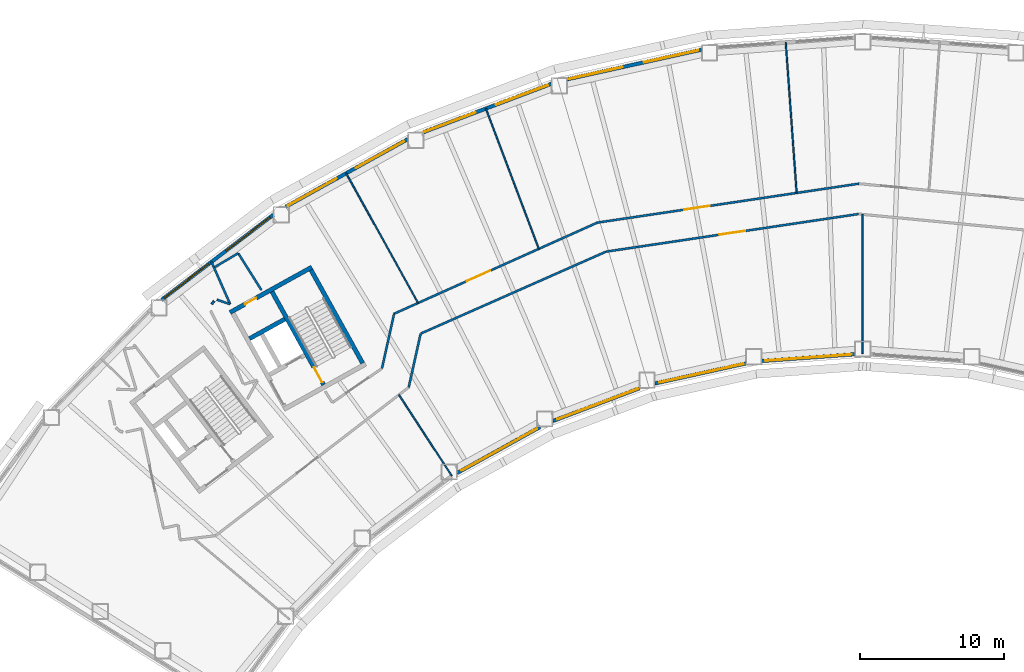
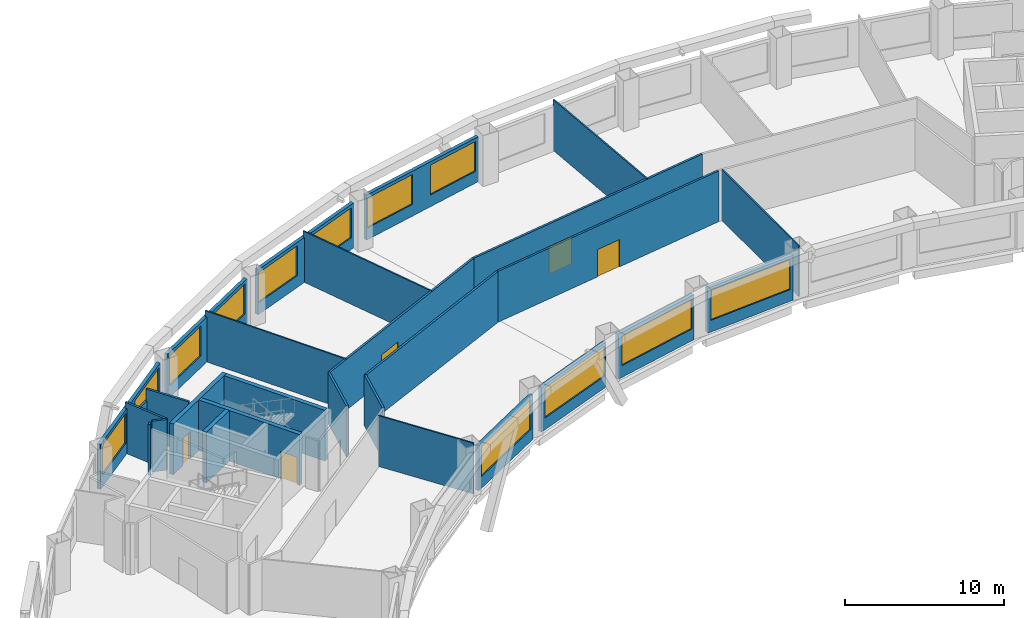
# One storey, part 4 of 13: 28 walls, 12 windows, 5 doors, 17 openings.
"""IFC4 building model written with IfcOpenShell, lengths in metres."""

from ifc_helpers import new_model, si_unit, direction, frame, frame_2d, origin, place, context, subcontext, project, spatial, rectangle, extrude, material, layer, layer_set, type_object, element, fill, save


model = new_model("IFC4")

# Units and contexts
model_context = context("Model", 3, precision=1e-05, world=origin(), true_north=direction((0.0, 1.0)))
body_context = subcontext(model_context, "Body", "Model", "MODEL_VIEW")
ifc_project = project(units=[si_unit("LENGTHUNIT", "METRE"), si_unit("AREAUNIT", "SQUARE_METRE"), si_unit("VOLUMEUNIT", "CUBIC_METRE"), si_unit("PLANEANGLEUNIT", "RADIAN"), si_unit("MASSUNIT", "GRAM", prefix="KILO")], contexts=[model_context])

# Site, building, storey
site_placement = place(None, origin())
site = spatial("IfcSite", under=ifc_project, at=site_placement, CompositionType="ELEMENT")
building_placement = place(site_placement, origin())
building = spatial("IfcBuilding", under=site, at=building_placement, Name="Tuul Gate Civic Tower", CompositionType="ELEMENT")
storey_placement = place(building_placement, frame((0.0, 0.0, 111.89990234375)))
storey = spatial("IfcBuildingStorey", under=building, at=storey_placement, Name="Level 25", CompositionType="ELEMENT", Elevation=111.89990234375)

# Wall
ifc_material_1 = material(Name="Concrete C50/60", Category="concrete")
ifc_layer_1 = layer(ifc_material_1, 0.300048828125)
ifc_layer_set_1 = layer_set([ifc_layer_1], Name="Concrete C50/60")
wall_type_1 = type_object("IfcWallType", Name="Core wall C50/60", PredefinedType="SHEAR", material=ifc_layer_set_1)
wall_1_placement = place(storey_placement, frame((-30.327392578125, -5.59716796875, 0.0), z_axis=(0.0, 0.0, 1.0), x_axis=(-0.874629840737, -0.484791338301, 0.0)))
element("IfcWall", 1, at=wall_1_placement, inside=storey, type_object=wall_type_1, Name="Core wall", PredefinedType="SHEAR", context=body_context, shape_type="SweptSolid", body=[
    extrude(rectangle(XDim=2.800048828125, YDim=0.300048828125, at=frame_2d((1.39990234375, 0.0))), origin(), (0.0, 0.0, 1.0), 3.900146484375),
])

# Wall, opening, door
wall_2_placement = place(storey_placement, frame((-28.4443359375, -1.98095703125, 0.0), z_axis=(0.0, 0.0, 1.0), x_axis=(-0.874629909008, -0.484791215132, 0.0)))
wall_2 = element("IfcWall", 2, at=wall_2_placement, inside=storey, type_object=wall_type_1, Name="Core wall", PredefinedType="SHEAR", context=body_context, shape_type="SweptSolid", body=[
    extrude(rectangle(XDim=6.5, YDim=0.300048828125, at=frame_2d((3.25, 0.0))), origin(), (0.0, 0.0, 1.0), 3.900146484375),
])
opening_1_placement = place(wall_2_placement, frame((4.425048828125, 0.0, 0.0)))
opening_1 = element("IfcOpeningElement", 3, at=opening_1_placement, cuts=wall_2, Name="Opening H-D18", PredefinedType="OPENING", context=body_context, shape_type="SweptSolid", body=[
    extrude(rectangle(XDim=0.89990234375, YDim=2.10009765625, at=frame_2d((0.449951171875, 1.050048828125))), frame((0.0, 0.16015625, 0.0), z_axis=(0.0, -1.0, 0.0), x_axis=(1.0, 0.0, 0.0)), (0.0, 0.0, 1.0), 0.320068359375),
])
ifc_material_2 = material(Name="Timber door leaf", Category="wood")
door_type_1 = type_object("IfcDoorType", Name="Door D09", OperationType="NOTDEFINED", PredefinedType="DOOR", material=ifc_material_2)
door_1_placement = place(opening_1_placement, origin())
door_1 = element("IfcDoor", 4, at=door_1_placement, inside=storey, type_object=door_type_1, Name="Door H-D18", OperationType="SINGLE_SWING_LEFT", OverallHeight=2.10009765625, OverallWidth=0.89990234375, PredefinedType="DOOR", context=body_context, shape_type="SweptSolid", body=[
    extrude(rectangle(XDim=0.89990234375, YDim=2.10009765625, at=frame_2d((0.449951171875, 1.050048828125))), frame((0.0, 0.02490234375, 0.0), z_axis=(0.0, -1.0, 0.0), x_axis=(1.0, 0.0, 0.0)), (0.0, 0.0, 1.0), 0.050048828125),
])
fill(opening_1, door_1)

# Wall
wall_3_placement = place(storey_placement, frame((-24.91552734375, -8.6572265625, 0.0), z_axis=(0.0, 0.0, 1.0), x_axis=(-0.484777133038, 0.874637714304, 0.0)))
element("IfcWall", 5, at=wall_3_placement, inside=storey, type_object=wall_type_1, Name="Core wall", PredefinedType="SHEAR", context=body_context, shape_type="SweptSolid", body=[
    extrude(rectangle(XDim=7.400146484375, YDim=0.300048828125, at=frame_2d((3.7001953125, 0.0))), origin(), (0.0, 0.0, 1.0), 3.900146484375),
])

# Wall, opening, door
wall_4_placement = place(storey_placement, frame((-27.626953125, -10.16015625, 0.0), z_axis=(0.0, 0.0, 1.0), x_axis=(-0.484751894226, 0.874651702704, 0.0)))
wall_4 = element("IfcWall", 6, at=wall_4_placement, inside=storey, type_object=wall_type_1, Name="Core wall", PredefinedType="SHEAR", context=body_context, shape_type="SweptSolid", body=[
    extrude(rectangle(XDim=7.39990234375, YDim=0.300048828125, at=frame_2d((3.699951171875, 0.0))), origin(), (0.0, 0.0, 1.0), 3.900146484375),
])
opening_2_placement = place(wall_4_placement, frame((0.199951171875, 0.0, 0.0)))
opening_2 = element("IfcOpeningElement", 7, at=opening_2_placement, cuts=wall_4, Name="Opening SD-ST-2", PredefinedType="OPENING", context=body_context, shape_type="SweptSolid", body=[
    extrude(rectangle(XDim=1.199951171875, YDim=2.10009765625, at=frame_2d((0.60009765625, 1.050048828125))), frame((0.0, 0.16015625, 0.0), z_axis=(0.0, -1.0, 0.0), x_axis=(1.0, 0.0, 0.0)), (0.0, 0.0, 1.0), 0.320068359375),
])
ifc_material_3 = material(Name="Steel", Category="steel")
door_type_2 = type_object("IfcDoorType", Name="Stair door", OperationType="NOTDEFINED", PredefinedType="DOOR", material=ifc_material_3)
door_2_placement = place(opening_2_placement, origin())
door_2 = element("IfcDoor", 8, at=door_2_placement, inside=storey, type_object=door_type_2, Name="Stair door ST-2", OperationType="SINGLE_SWING_LEFT", OverallHeight=2.10009765625, OverallWidth=1.199951171875, PredefinedType="DOOR", context=body_context, shape_type="SweptSolid", body=[
    extrude(rectangle(XDim=1.199951171875, YDim=2.10009765625, at=frame_2d((0.60009765625, 1.050048828125))), frame((0.0, 0.02490234375, 0.0), z_axis=(0.0, -1.0, 0.0), x_axis=(1.0, 0.0, 0.0)), (0.0, 0.0, 1.0), 0.050048828125),
])
fill(opening_2, door_2)

ifc_material_4 = material(Name="Gypsum board partition")
ifc_layer_2 = layer(ifc_material_4, 0.14990234375)
ifc_layer_set_2 = layer_set([ifc_layer_2], Name="Gypsum board partition")
wall_type_2 = type_object("IfcWallType", Name="Corridor wall P150", PredefinedType="PARTITIONING", material=ifc_layer_set_2)
wall_5_placement = place(storey_placement, frame((-8.611083984375, 1.110107421875, 0.0), z_axis=(0.0, 0.0, 1.0), x_axis=(0.989097137004, 0.147264569974, 0.0)))
wall_5 = element("IfcWall", 9, at=wall_5_placement, inside=storey, type_object=wall_type_2, Name="p023", PredefinedType="PARTITIONING", context=body_context, shape_type="SweptSolid", body=[
    extrude(rectangle(XDim=18.377197265625, YDim=0.14990234375, at=frame_2d((9.1884765625, 0.0))), origin(), (0.0, 0.0, 1.0), 3.900146484375),
])
opening_3_placement = place(wall_5_placement, frame((6.1005859375, 0.0, 0.0)))
opening_3 = element("IfcOpeningElement", 10, at=opening_3_placement, cuts=wall_5, Name="Opening H-D07", PredefinedType="OPENING", context=body_context, shape_type="SweptSolid", body=[
    extrude(rectangle(XDim=1.800048828125, YDim=2.10009765625, at=frame_2d((0.89990234375, 1.050048828125))), frame((0.0, 0.0849609375, 0.0), z_axis=(0.0, -1.0, 0.0), x_axis=(1.0, 0.0, 0.0)), (0.0, 0.0, 1.0), 0.169921875),
])
ifc_material_5 = material(Name="Timber door leaf, double", Category="wood")
door_type_3 = type_object("IfcDoorType", Name="Door D18", OperationType="DOUBLE_DOOR_SINGLE_SWING", PredefinedType="DOOR", material=ifc_material_5)
door_3_placement = place(opening_3_placement, origin())
door_3 = element("IfcDoor", 11, at=door_3_placement, inside=storey, type_object=door_type_3, Name="Door H-D07", OperationType="DOUBLE_DOOR_SINGLE_SWING", OverallHeight=2.10009765625, OverallWidth=1.800048828125, PredefinedType="DOOR", context=body_context, shape_type="SweptSolid", body=[
    extrude(rectangle(XDim=1.800048828125, YDim=2.10009765625, at=frame_2d((0.89990234375, 1.050048828125))), frame((0.0, 0.02490234375, 0.0), z_axis=(0.0, -1.0, 0.0), x_axis=(1.0, 0.0, 0.0)), (0.0, 0.0, 1.0), 0.050048828125),
])
fill(opening_3, door_3)

wall_6_placement = place(storey_placement, frame((-22.732421875, -5.221435546875, 0.0), z_axis=(0.0, 0.0, 1.0), x_axis=(0.912478254824, 0.409125206352, 0.0)))
wall_6 = element("IfcWall", 12, at=wall_6_placement, inside=storey, type_object=wall_type_2, Name="p025", PredefinedType="PARTITIONING", context=body_context, shape_type="SweptSolid", body=[
    extrude(rectangle(XDim=15.475830078125, YDim=0.14990234375, at=frame_2d((7.73779296875, 0.0))), origin(), (0.0, 0.0, 1.0), 3.900146484375),
])
opening_4_placement = place(wall_6_placement, frame((5.525390625, 0.0, 0.0)))
opening_4 = element("IfcOpeningElement", 13, at=opening_4_placement, cuts=wall_6, Name="Opening H-D08", PredefinedType="OPENING", context=body_context, shape_type="SweptSolid", body=[
    extrude(rectangle(XDim=1.800048828125, YDim=2.10009765625, at=frame_2d((0.89990234375, 1.050048828125))), frame((0.0, 0.0849609375, 0.0), z_axis=(0.0, -1.0, 0.0), x_axis=(1.0, 0.0, 0.0)), (0.0, 0.0, 1.0), 0.169921875),
])
door_4_placement = place(opening_4_placement, origin())
door_4 = element("IfcDoor", 14, at=door_4_placement, inside=storey, type_object=door_type_3, Name="Door H-D08", OperationType="DOUBLE_DOOR_SINGLE_SWING", OverallHeight=2.10009765625, OverallWidth=1.800048828125, PredefinedType="DOOR", context=body_context, shape_type="SweptSolid", body=[
    extrude(rectangle(XDim=1.800048828125, YDim=2.10009765625, at=frame_2d((0.89990234375, 1.050048828125))), frame((0.0, 0.02490234375, 0.0), z_axis=(0.0, -1.0, 0.0), x_axis=(1.0, 0.0, 0.0)), (0.0, 0.0, 1.0), 0.050048828125),
])
fill(opening_4, door_4)

# Walls
wall_7_placement = place(storey_placement, frame((-23.57421875, -9.015380859375, 0.0), z_axis=(0.0, 0.0, 1.0), x_axis=(0.216611161304, 0.976257960172, 0.0)))
element("IfcWall", 15, at=wall_7_placement, inside=storey, type_object=wall_type_2, Name="p028", PredefinedType="PARTITIONING", context=body_context, shape_type="SweptSolid", body=[
    extrude(rectangle(XDim=3.88623046875, YDim=0.14990234375, at=frame_2d((1.943115234375, 0.0))), origin(), (0.0, 0.0, 1.0), 3.900146484375),
])
wall_8_placement = place(storey_placement, frame((-33.56298828125, -1.016845703125, 0.0), z_axis=(0.0, 0.0, 1.0), x_axis=(0.533153011453, -0.846018833347, 0.0)))
element("IfcWall", 16, at=wall_8_placement, inside=storey, type_object=wall_type_2, Name="p030", PredefinedType="PARTITIONING", context=body_context, shape_type="SweptSolid", body=[
    extrude(rectangle(XDim=3.030029296875, YDim=0.14990234375, at=frame_2d((1.51513671875, 0.0))), origin(), (0.0, 0.0, 1.0), 3.900146484375),
])
wall_9_placement = place(storey_placement, frame((-35.422119140625, -1.613037109375, 0.0), z_axis=(0.0, 0.0, 1.0), x_axis=(0.40375398876, -0.914867595098, 0.0)))
element("IfcWall", 17, at=wall_9_placement, inside=storey, type_object=wall_type_2, Name="p033", PredefinedType="PARTITIONING", context=body_context, shape_type="SweptSolid", body=[
    extrude(rectangle(XDim=3.222412109375, YDim=0.14990234375, at=frame_2d((1.611328125, 0.0))), origin(), (0.0, 0.0, 1.0), 3.900146484375),
])
wall_10_placement = place(storey_placement, frame((-35.044677734375, -4.2470703125, 0.0), z_axis=(0.0, 0.0, 1.0), x_axis=(0.946789524238, -0.321853377787, 0.0)))
element("IfcWall", 18, at=wall_10_placement, inside=storey, type_object=wall_type_2, Name="p034", PredefinedType="PARTITIONING", context=body_context, shape_type="SweptSolid", body=[
    extrude(rectangle(XDim=0.9755859375, YDim=0.14990234375, at=frame_2d((0.48779296875, 0.0))), origin(), (0.0, 0.0, 1.0), 3.900146484375),
])
wall_11_placement = place(storey_placement, frame((-35.398193359375, -4.55029296875, 0.0), z_axis=(0.0, 0.0, 1.0), x_axis=(0.637454263695, 0.770488196988, 0.0)))
element("IfcWall", 19, at=wall_11_placement, inside=storey, type_object=wall_type_2, Name="p035", PredefinedType="PARTITIONING", context=body_context, shape_type="SweptSolid", body=[
    extrude(rectangle(XDim=0.26416015625, YDim=0.14990234375, at=frame_2d((0.132080078125, 0.0))), origin(), (0.0, 0.0, 1.0), 3.900146484375),
])
wall_12_placement = place(storey_placement, frame((-21.7158203125, -10.33349609375, 0.0), z_axis=(0.0, 0.0, 1.0), x_axis=(0.216652269261, 0.97624883827, 0.0)))
element("IfcWall", 20, at=wall_12_placement, inside=storey, type_object=wall_type_2, Name="p071", PredefinedType="PARTITIONING", context=body_context, shape_type="SweptSolid", body=[
    extrude(rectangle(XDim=3.81005859375, YDim=0.14990234375, at=frame_2d((1.905029296875, 0.0))), origin(), (0.0, 0.0, 1.0), 3.900146484375),
])
wall_13_placement = place(storey_placement, frame((-20.87841796875, -6.599365234375, 0.0), z_axis=(0.0, 0.0, 1.0), x_axis=(0.914544225777, 0.404485919529, 0.0)))
element("IfcWall", 21, at=wall_13_placement, inside=storey, type_object=wall_type_2, Name="p072", PredefinedType="PARTITIONING", context=body_context, shape_type="SweptSolid", body=[
    extrude(rectangle(XDim=14.069580078125, YDim=0.14990234375, at=frame_2d((7.03466796875, 0.0))), origin(), (0.0, 0.0, 1.0), 3.900146484375),
])

# Wall, opening, door
wall_14_placement = place(storey_placement, frame((-8.00537109375, -0.90673828125, 0.0), z_axis=(0.0, 0.0, 1.0), x_axis=(0.989069516595, 0.147449962167, 0.0)))
wall_14 = element("IfcWall", 22, at=wall_14_placement, inside=storey, type_object=wall_type_2, Name="p073", PredefinedType="PARTITIONING", context=body_context, shape_type="SweptSolid", body=[
    extrude(rectangle(XDim=17.738037109375, YDim=0.14990234375, at=frame_2d((8.869140625, 0.0))), origin(), (0.0, 0.0, 1.0), 3.900146484375),
])
opening_5_placement = place(wall_14_placement, frame((7.968994140625, 0.0, 0.0)))
opening_5 = element("IfcOpeningElement", 23, at=opening_5_placement, cuts=wall_14, Name="Opening H-D12", PredefinedType="OPENING", context=body_context, shape_type="SweptSolid", body=[
    extrude(rectangle(XDim=1.800048828125, YDim=2.10009765625, at=frame_2d((0.89990234375, 1.050048828125))), frame((0.0, 0.0849609375, 0.0), z_axis=(0.0, -1.0, 0.0), x_axis=(1.0, 0.0, 0.0)), (0.0, 0.0, 1.0), 0.169921875),
])
door_5_placement = place(opening_5_placement, frame((1.800048828125, 0.0, 0.0), z_axis=(0.0, 0.0, 1.0), x_axis=(-1.0, 0.0, 0.0)))
door_5 = element("IfcDoor", 24, at=door_5_placement, inside=storey, type_object=door_type_3, Name="Door H-D12", OperationType="DOUBLE_DOOR_SINGLE_SWING", OverallHeight=2.10009765625, OverallWidth=1.800048828125, PredefinedType="DOOR", context=body_context, shape_type="SweptSolid", body=[
    extrude(rectangle(XDim=1.800048828125, YDim=2.10009765625, at=frame_2d((0.900146484375, 1.050048828125))), frame((0.0, 0.02490234375, 0.0), z_axis=(0.0, -1.0, 0.0), x_axis=(1.0, 0.0, 0.0)), (0.0, 0.0, 1.0), 0.050048828125),
])
fill(opening_5, door_5)

# Wall
ifc_material_6 = material(Name="Gypsum board partition")
ifc_layer_3 = layer(ifc_material_6, 0.14990234375)
ifc_layer_set_3 = layer_set([ifc_layer_3], Name="Gypsum board partition")
wall_type_3 = type_object("IfcWallType", Name="Corridor wall P150 3000 HIGH", PredefinedType="PARTITIONING", material=ifc_layer_set_3)
wall_15_placement = place(storey_placement, frame((-35.21240234375, -1.9912109375, 0.0), z_axis=(0.0, 0.0, 1.0), x_axis=(0.860918956653, 0.50874212532, 0.0)))
element("IfcWall", 25, at=wall_15_placement, inside=storey, type_object=wall_type_3, Name="p032", PredefinedType="PARTITIONING", context=body_context, shape_type="SweptSolid", body=[
    extrude(rectangle(XDim=1.92578125, YDim=0.14990234375, at=frame_2d((0.962890625, 0.0))), origin(), (0.0, 0.0, 1.0), 3.0),
])

# Wall, openings, windows
ifc_material_7 = material(Name="Precast concrete C40/50", Category="concrete")
ifc_layer_4 = layer(ifc_material_7, 0.25)
ifc_layer_set_4 = layer_set([ifc_layer_4], Name="Precast concrete C40/50")
wall_type_4 = type_object("IfcWallType", Name="External wall", PredefinedType="STANDARD", material=ifc_layer_set_4)
wall_16_placement = place(storey_placement, frame((-1.37109375, 13.126220703125, 0.0), z_axis=(0.0, 0.0, 1.0), x_axis=(-0.976556736289, -0.215260170047, 0.0)))
wall_16 = element("IfcWall", 26, at=wall_16_placement, inside=storey, type_object=wall_type_4, Name="External wall", PredefinedType="STANDARD", context=body_context, shape_type="SweptSolid", body=[
    extrude(rectangle(XDim=9.55078125, YDim=0.25, at=frame_2d((4.775390625, 0.0))), origin(), (0.0, 0.0, 1.0), 3.4501953125),
])
opening_6_placement = place(wall_16_placement, frame((0.236328125, 0.0, 0.89990234375)))
opening_6 = element("IfcOpeningElement", 27, at=opening_6_placement, cuts=wall_16, Name="Opening W22", PredefinedType="OPENING", context=body_context, shape_type="SweptSolid", body=[
    extrude(rectangle(XDim=3.85009765625, YDim=2.300048828125, at=frame_2d((1.925048828125, 1.14990234375))), frame((0.0, 0.135009765625, 0.0), z_axis=(0.0, -1.0, 0.0), x_axis=(1.0, 0.0, 0.0)), (0.0, 0.0, 1.0), 0.27001953125),
])
opening_7_placement = place(wall_16_placement, frame((5.607177734375, 0.0, 0.89990234375)))
opening_7 = element("IfcOpeningElement", 28, at=opening_7_placement, cuts=wall_16, Name="Opening W22", PredefinedType="OPENING", context=body_context, shape_type="SweptSolid", body=[
    extrude(rectangle(XDim=3.85009765625, YDim=2.300048828125, at=frame_2d((1.925048828125, 1.14990234375))), frame((0.0, 0.135009765625, 0.0), z_axis=(0.0, -1.0, 0.0), x_axis=(1.0, 0.0, 0.0)), (0.0, 0.0, 1.0), 0.27001953125),
])
ifc_material_8 = material(Name="Glass", Category="glass")
window_type_1 = type_object("IfcWindowType", Name="Window W22 3850 x 2300", PartitioningType="SINGLE_PANEL", PredefinedType="WINDOW", material=ifc_material_8)
window_1_placement = place(opening_6_placement, origin())
window_1 = element("IfcWindow", 29, at=window_1_placement, inside=storey, type_object=window_type_1, Name="Window", OverallHeight=2.300048828125, OverallWidth=3.85009765625, PartitioningType="SINGLE_PANEL", PredefinedType="WINDOW", context=body_context, shape_type="SweptSolid", body=[
    extrude(rectangle(XDim=3.85009765625, YDim=2.300048828125, at=frame_2d((1.925048828125, 1.14990234375))), frame((0.0, 0.030029296875, 0.0), z_axis=(0.0, -1.0, 0.0), x_axis=(1.0, 0.0, 0.0)), (0.0, 0.0, 1.0), 0.06005859375),
])
fill(opening_6, window_1)
window_2_placement = place(opening_7_placement, origin())
window_2 = element("IfcWindow", 30, at=window_2_placement, inside=storey, type_object=window_type_1, Name="Window", OverallHeight=2.300048828125, OverallWidth=3.85009765625, PartitioningType="SINGLE_PANEL", PredefinedType="WINDOW", context=body_context, shape_type="SweptSolid", body=[
    extrude(rectangle(XDim=3.85009765625, YDim=2.300048828125, at=frame_2d((1.925048828125, 1.14990234375))), frame((0.0, 0.030029296875, 0.0), z_axis=(0.0, -1.0, 0.0), x_axis=(1.0, 0.0, 0.0)), (0.0, 0.0, 1.0), 0.06005859375),
])
fill(opening_7, window_2)

wall_17_placement = place(storey_placement, frame((-11.798095703125, 10.755859375, 0.0), z_axis=(0.0, 0.0, 1.0), x_axis=(-0.935382365762, -0.353637992617, 0.0)))
wall_17 = element("IfcWall", 31, at=wall_17_placement, inside=storey, type_object=wall_type_4, Name="External wall", PredefinedType="STANDARD", context=body_context, shape_type="SweptSolid", body=[
    extrude(rectangle(XDim=9.51806640625, YDim=0.25, at=frame_2d((4.759033203125, 0.0))), origin(), (0.0, 0.0, 1.0), 3.4501953125),
])
opening_8_placement = place(wall_17_placement, frame((0.262451171875, 0.0, 0.89990234375)))
opening_8 = element("IfcOpeningElement", 32, at=opening_8_placement, cuts=wall_17, Name="Opening W22", PredefinedType="OPENING", context=body_context, shape_type="SweptSolid", body=[
    extrude(rectangle(XDim=3.85009765625, YDim=2.300048828125, at=frame_2d((1.925048828125, 1.14990234375))), frame((0.0, 0.135009765625, 0.0), z_axis=(0.0, -1.0, 0.0), x_axis=(1.0, 0.0, 0.0)), (0.0, 0.0, 1.0), 0.27001953125),
])
opening_9_placement = place(wall_17_placement, frame((5.634033203125, 0.0, 0.89990234375)))
opening_9 = element("IfcOpeningElement", 33, at=opening_9_placement, cuts=wall_17, Name="Opening W22", PredefinedType="OPENING", context=body_context, shape_type="SweptSolid", body=[
    extrude(rectangle(XDim=3.85009765625, YDim=2.300048828125, at=frame_2d((1.925048828125, 1.14990234375))), frame((0.0, 0.135009765625, 0.0), z_axis=(0.0, -1.0, 0.0), x_axis=(1.0, 0.0, 0.0)), (0.0, 0.0, 1.0), 0.27001953125),
])
window_3_placement = place(opening_8_placement, origin())
window_3 = element("IfcWindow", 34, at=window_3_placement, inside=storey, type_object=window_type_1, Name="Window", OverallHeight=2.300048828125, OverallWidth=3.85009765625, PartitioningType="SINGLE_PANEL", PredefinedType="WINDOW", context=body_context, shape_type="SweptSolid", body=[
    extrude(rectangle(XDim=3.85009765625, YDim=2.300048828125, at=frame_2d((1.925048828125, 1.14990234375))), frame((0.0, 0.030029296875, 0.0), z_axis=(0.0, -1.0, 0.0), x_axis=(1.0, 0.0, 0.0)), (0.0, 0.0, 1.0), 0.06005859375),
])
fill(opening_8, window_3)
window_4_placement = place(opening_9_placement, origin())
window_4 = element("IfcWindow", 35, at=window_4_placement, inside=storey, type_object=window_type_1, Name="Window", OverallHeight=2.300048828125, OverallWidth=3.85009765625, PartitioningType="SINGLE_PANEL", PredefinedType="WINDOW", context=body_context, shape_type="SweptSolid", body=[
    extrude(rectangle(XDim=3.85009765625, YDim=2.300048828125, at=frame_2d((1.925048828125, 1.14990234375))), frame((0.0, 0.030029296875, 0.0), z_axis=(0.0, -1.0, 0.0), x_axis=(1.0, 0.0, 0.0)), (0.0, 0.0, 1.0), 0.06005859375),
])
fill(opening_9, window_4)

wall_18_placement = place(storey_placement, frame((-21.784912109375, 6.907470703125, 0.0), z_axis=(0.0, 0.0, 1.0), x_axis=(-0.874619623874, -0.484809770461, 0.0)))
wall_18 = element("IfcWall", 36, at=wall_18_placement, inside=storey, type_object=wall_type_4, Name="External wall", PredefinedType="STANDARD", context=body_context, shape_type="SweptSolid", body=[
    extrude(rectangle(XDim=9.680908203125, YDim=0.25, at=frame_2d((4.84033203125, 0.0))), origin(), (0.0, 0.0, 1.0), 3.4501953125),
])
opening_10_placement = place(wall_18_placement, frame((0.279541015625, 0.0, 0.89990234375)))
opening_10 = element("IfcOpeningElement", 37, at=opening_10_placement, cuts=wall_18, Name="Opening W22", PredefinedType="OPENING", context=body_context, shape_type="SweptSolid", body=[
    extrude(rectangle(XDim=3.85009765625, YDim=2.300048828125, at=frame_2d((1.925048828125, 1.14990234375))), frame((0.0, 0.135009765625, 0.0), z_axis=(0.0, -1.0, 0.0), x_axis=(1.0, 0.0, 0.0)), (0.0, 0.0, 1.0), 0.27001953125),
])
opening_11_placement = place(wall_18_placement, frame((5.650634765625, 0.0, 0.89990234375)))
opening_11 = element("IfcOpeningElement", 38, at=opening_11_placement, cuts=wall_18, Name="Opening W22", PredefinedType="OPENING", context=body_context, shape_type="SweptSolid", body=[
    extrude(rectangle(XDim=3.85009765625, YDim=2.300048828125, at=frame_2d((1.925048828125, 1.14990234375))), frame((0.0, 0.135009765625, 0.0), z_axis=(0.0, -1.0, 0.0), x_axis=(1.0, 0.0, 0.0)), (0.0, 0.0, 1.0), 0.27001953125),
])
window_5_placement = place(opening_10_placement, origin())
window_5 = element("IfcWindow", 39, at=window_5_placement, inside=storey, type_object=window_type_1, Name="Window", OverallHeight=2.300048828125, OverallWidth=3.85009765625, PartitioningType="SINGLE_PANEL", PredefinedType="WINDOW", context=body_context, shape_type="SweptSolid", body=[
    extrude(rectangle(XDim=3.85009765625, YDim=2.300048828125, at=frame_2d((1.925048828125, 1.14990234375))), frame((0.0, 0.030029296875, 0.0), z_axis=(0.0, -1.0, 0.0), x_axis=(1.0, 0.0, 0.0)), (0.0, 0.0, 1.0), 0.06005859375),
])
fill(opening_10, window_5)
window_6_placement = place(opening_11_placement, origin())
window_6 = element("IfcWindow", 40, at=window_6_placement, inside=storey, type_object=window_type_1, Name="Window", OverallHeight=2.300048828125, OverallWidth=3.85009765625, PartitioningType="SINGLE_PANEL", PredefinedType="WINDOW", context=body_context, shape_type="SweptSolid", body=[
    extrude(rectangle(XDim=3.85009765625, YDim=2.300048828125, at=frame_2d((1.925048828125, 1.14990234375))), frame((0.0, 0.030029296875, 0.0), z_axis=(0.0, -1.0, 0.0), x_axis=(1.0, 0.0, 0.0)), (0.0, 0.0, 1.0), 0.06005859375),
])
fill(opening_11, window_6)

wall_19_placement = place(storey_placement, frame((-31.1240234375, 1.6533203125, 0.0), z_axis=(0.0, 0.0, 1.0), x_axis=(-0.795622492649, -0.605792744419, 0.0)))
wall_19 = element("IfcWall", 41, at=wall_19_placement, inside=storey, type_object=wall_type_4, Name="External wall", PredefinedType="STANDARD", context=body_context, shape_type="SweptSolid", body=[
    extrude(rectangle(XDim=9.751220703125, YDim=0.25, at=frame_2d((4.87548828125, 0.0))), origin(), (0.0, 0.0, 1.0), 3.4501953125),
])
opening_12_placement = place(wall_19_placement, frame((0.283447265625, 0.0, 0.89990234375)))
opening_12 = element("IfcOpeningElement", 42, at=opening_12_placement, cuts=wall_19, Name="Opening W22", PredefinedType="OPENING", context=body_context, shape_type="SweptSolid", body=[
    extrude(rectangle(XDim=3.85009765625, YDim=2.300048828125, at=frame_2d((1.925048828125, 1.14990234375))), frame((0.0, 0.135009765625, 0.0), z_axis=(0.0, -1.0, 0.0), x_axis=(1.0, 0.0, 0.0)), (0.0, 0.0, 1.0), 0.27001953125),
])
opening_13_placement = place(wall_19_placement, frame((5.65478515625, 0.0, 0.89990234375)))
opening_13 = element("IfcOpeningElement", 43, at=opening_13_placement, cuts=wall_19, Name="Opening W22", PredefinedType="OPENING", context=body_context, shape_type="SweptSolid", body=[
    extrude(rectangle(XDim=3.85009765625, YDim=2.300048828125, at=frame_2d((1.925048828125, 1.14990234375))), frame((0.0, 0.135009765625, 0.0), z_axis=(0.0, -1.0, 0.0), x_axis=(1.0, 0.0, 0.0)), (0.0, 0.0, 1.0), 0.27001953125),
])
window_7_placement = place(opening_12_placement, origin())
window_7 = element("IfcWindow", 44, at=window_7_placement, inside=storey, type_object=window_type_1, Name="Window", OverallHeight=2.300048828125, OverallWidth=3.85009765625, PartitioningType="SINGLE_PANEL", PredefinedType="WINDOW", context=body_context, shape_type="SweptSolid", body=[
    extrude(rectangle(XDim=3.85009765625, YDim=2.300048828125, at=frame_2d((1.925048828125, 1.14990234375))), frame((0.0, 0.030029296875, 0.0), z_axis=(0.0, -1.0, 0.0), x_axis=(1.0, 0.0, 0.0)), (0.0, 0.0, 1.0), 0.06005859375),
])
fill(opening_12, window_7)
window_8_placement = place(opening_13_placement, origin())
window_8 = element("IfcWindow", 45, at=window_8_placement, inside=storey, type_object=window_type_1, Name="Window", OverallHeight=2.300048828125, OverallWidth=3.85009765625, PartitioningType="SINGLE_PANEL", PredefinedType="WINDOW", context=body_context, shape_type="SweptSolid", body=[
    extrude(rectangle(XDim=3.85009765625, YDim=2.300048828125, at=frame_2d((1.925048828125, 1.14990234375))), frame((0.0, 0.030029296875, 0.0), z_axis=(0.0, -1.0, 0.0), x_axis=(1.0, 0.0, 0.0)), (0.0, 0.0, 1.0), 0.06005859375),
])
fill(opening_13, window_8)

# Wall, opening, window
wall_20_placement = place(storey_placement, frame((-18.347900390625, -16.2841796875, 0.0), z_axis=(0.0, 0.0, 1.0), x_axis=(0.874603961928, 0.484838024272, 0.0)))
wall_20 = element("IfcWall", 46, at=wall_20_placement, inside=storey, type_object=wall_type_4, Name="External wall", PredefinedType="STANDARD", context=body_context, shape_type="SweptSolid", body=[
    extrude(rectangle(XDim=6.594482421875, YDim=0.25, at=frame_2d((3.29736328125, 0.0))), origin(), (0.0, 0.0, 1.0), 3.4501953125),
])
opening_14_placement = place(wall_20_placement, frame((0.34765625, 0.0, 0.89990234375)))
opening_14 = element("IfcOpeningElement", 47, at=opening_14_placement, cuts=wall_20, Name="Opening W26", PredefinedType="OPENING", context=body_context, shape_type="SweptSolid", body=[
    extrude(rectangle(XDim=6.0, YDim=2.300048828125, at=frame_2d((3.0, 1.14990234375))), frame((0.0, 0.135009765625, 0.0), z_axis=(0.0, -1.0, 0.0), x_axis=(1.0, 0.0, 0.0)), (0.0, 0.0, 1.0), 0.27001953125),
])
ifc_material_9 = material(Name="Glass", Category="glass")
window_type_2 = type_object("IfcWindowType", Name="Window W26 6000 x 2300", PartitioningType="SINGLE_PANEL", PredefinedType="WINDOW", material=ifc_material_9)
window_9_placement = place(opening_14_placement, origin())
window_9 = element("IfcWindow", 48, at=window_9_placement, inside=storey, type_object=window_type_2, Name="Window", OverallHeight=2.300048828125, OverallWidth=6.0, PartitioningType="SINGLE_PANEL", PredefinedType="WINDOW", context=body_context, shape_type="SweptSolid", body=[
    extrude(rectangle(XDim=6.0, YDim=2.300048828125, at=frame_2d((3.0, 1.14990234375))), frame((0.0, 0.030029296875, 0.0), z_axis=(0.0, -1.0, 0.0), x_axis=(1.0, 0.0, 0.0)), (0.0, 0.0, 1.0), 0.06005859375),
])
fill(opening_14, window_9)

wall_21_placement = place(storey_placement, frame((-11.7080078125, -12.67626953125, 0.0), z_axis=(0.0, 0.0, 1.0), x_axis=(0.935366053459, 0.353681136106, 0.0)))
wall_21 = element("IfcWall", 49, at=wall_21_placement, inside=storey, type_object=wall_type_4, Name="External wall", PredefinedType="STANDARD", context=body_context, shape_type="SweptSolid", body=[
    extrude(rectangle(XDim=6.429931640625, YDim=0.25, at=frame_2d((3.21484375, 0.0))), origin(), (0.0, 0.0, 1.0), 3.4501953125),
])
opening_15_placement = place(wall_21_placement, frame((0.3310546875, 0.0, 0.89990234375)))
opening_15 = element("IfcOpeningElement", 50, at=opening_15_placement, cuts=wall_21, Name="Opening W26", PredefinedType="OPENING", context=body_context, shape_type="SweptSolid", body=[
    extrude(rectangle(XDim=6.0, YDim=2.300048828125, at=frame_2d((3.0, 1.14990234375))), frame((0.0, 0.135009765625, 0.0), z_axis=(0.0, -1.0, 0.0), x_axis=(1.0, 0.0, 0.0)), (0.0, 0.0, 1.0), 0.27001953125),
])
window_10_placement = place(opening_15_placement, origin())
window_10 = element("IfcWindow", 51, at=window_10_placement, inside=storey, type_object=window_type_2, Name="Window", OverallHeight=2.300048828125, OverallWidth=6.0, PartitioningType="SINGLE_PANEL", PredefinedType="WINDOW", context=body_context, shape_type="SweptSolid", body=[
    extrude(rectangle(XDim=6.0, YDim=2.300048828125, at=frame_2d((3.0, 1.14990234375))), frame((0.0, 0.030029296875, 0.0), z_axis=(0.0, -1.0, 0.0), x_axis=(1.0, 0.0, 0.0)), (0.0, 0.0, 1.0), 0.06005859375),
])
fill(opening_15, window_10)

wall_22_placement = place(storey_placement, frame((-4.60693359375, -10.063232421875, 0.0), z_axis=(0.0, 0.0, 1.0), x_axis=(0.976562304854, 0.215234905949, 0.0)))
wall_22 = element("IfcWall", 52, at=wall_22_placement, inside=storey, type_object=wall_type_4, Name="External wall", PredefinedType="STANDARD", context=body_context, shape_type="SweptSolid", body=[
    extrude(rectangle(XDim=6.465576171875, YDim=0.25, at=frame_2d((3.23291015625, 0.0))), origin(), (0.0, 0.0, 1.0), 3.4501953125),
])
opening_16_placement = place(wall_22_placement, frame((0.304443359375, 0.0, 0.89990234375)))
opening_16 = element("IfcOpeningElement", 53, at=opening_16_placement, cuts=wall_22, Name="Opening W26", PredefinedType="OPENING", context=body_context, shape_type="SweptSolid", body=[
    extrude(rectangle(XDim=6.0, YDim=2.300048828125, at=frame_2d((3.0, 1.14990234375))), frame((0.0, 0.135009765625, 0.0), z_axis=(0.0, -1.0, 0.0), x_axis=(1.0, 0.0, 0.0)), (0.0, 0.0, 1.0), 0.27001953125),
])
window_11_placement = place(opening_16_placement, origin())
window_11 = element("IfcWindow", 54, at=window_11_placement, inside=storey, type_object=window_type_2, Name="Window", OverallHeight=2.300048828125, OverallWidth=6.0, PartitioningType="SINGLE_PANEL", PredefinedType="WINDOW", context=body_context, shape_type="SweptSolid", body=[
    extrude(rectangle(XDim=6.0, YDim=2.300048828125, at=frame_2d((3.0, 1.14990234375))), frame((0.0, 0.030029296875, 0.0), z_axis=(0.0, -1.0, 0.0), x_axis=(1.0, 0.0, 0.0)), (0.0, 0.0, 1.0), 0.06005859375),
])
fill(opening_16, window_11)

wall_23_placement = place(storey_placement, frame((2.806884765625, -8.503662109375, 0.0), z_axis=(0.0, 0.0, 1.0), x_axis=(0.997392965156, 0.072161437464, 0.0)))
wall_23 = element("IfcWall", 55, at=wall_23_placement, inside=storey, type_object=wall_type_4, Name="External wall", PredefinedType="STANDARD", context=body_context, shape_type="SweptSolid", body=[
    extrude(rectangle(XDim=6.489013671875, YDim=0.25, at=frame_2d((3.24462890625, 0.0))), origin(), (0.0, 0.0, 1.0), 3.4501953125),
])
opening_17_placement = place(wall_23_placement, frame((0.26806640625, 0.0, 0.89990234375)))
opening_17 = element("IfcOpeningElement", 56, at=opening_17_placement, cuts=wall_23, Name="Opening W26", PredefinedType="OPENING", context=body_context, shape_type="SweptSolid", body=[
    extrude(rectangle(XDim=6.0, YDim=2.300048828125, at=frame_2d((3.0, 1.14990234375))), frame((0.0, 0.135009765625, 0.0), z_axis=(0.0, -1.0, 0.0), x_axis=(1.0, 0.0, 0.0)), (0.0, 0.0, 1.0), 0.27001953125),
])
window_12_placement = place(opening_17_placement, origin())
window_12 = element("IfcWindow", 57, at=window_12_placement, inside=storey, type_object=window_type_2, Name="Window", OverallHeight=2.300048828125, OverallWidth=6.0, PartitioningType="SINGLE_PANEL", PredefinedType="WINDOW", context=body_context, shape_type="SweptSolid", body=[
    extrude(rectangle(XDim=6.0, YDim=2.300048828125, at=frame_2d((3.0, 1.14990234375))), frame((0.0, 0.030029296875, 0.0), z_axis=(0.0, -1.0, 0.0), x_axis=(1.0, 0.0, 0.0)), (0.0, 0.0, 1.0), 0.06005859375),
])
fill(opening_17, window_12)

# Walls
ifc_material_10 = material(Name="Gypsum board partition")
ifc_layer_5 = layer(ifc_material_10, 0.10009765625)
ifc_layer_set_5 = layer_set([ifc_layer_5], Name="Gypsum board partition")
wall_type_5 = type_object("IfcWallType", Name="Partition P100", PredefinedType="PARTITIONING", material=ifc_layer_set_5)
wall_24_placement = place(storey_placement, frame((4.480224609375, 13.6298828125, 0.0), z_axis=(0.0, 0.0, 1.0), x_axis=(0.072251433498, -0.997386449857, 0.0)))
element("IfcWall", 58, at=wall_24_placement, inside=storey, type_object=wall_type_5, Name="p022", PredefinedType="PARTITIONING", context=body_context, shape_type="SweptSolid", body=[
    extrude(rectangle(XDim=10.485107421875, YDim=0.10009765625, at=frame_2d((5.24267578125, 0.0))), origin(), (0.0, 0.0, 1.0), 3.900146484375),
])
wall_25_placement = place(storey_placement, frame((-16.358154296875, 9.037109375, 0.0), z_axis=(0.0, 0.0, 1.0), x_axis=(0.353717627007, -0.935352254685, 0.0)))
element("IfcWall", 59, at=wall_25_placement, inside=storey, type_object=wall_type_5, Name="p024", PredefinedType="PARTITIONING", context=body_context, shape_type="SweptSolid", body=[
    extrude(rectangle(XDim=10.421630859375, YDim=0.10009765625, at=frame_2d((5.2109375, 0.0))), origin(), (0.0, 0.0, 1.0), 3.900146484375),
])
wall_26_placement = place(storey_placement, frame((-26.064453125, 4.541015625, 0.0), z_axis=(0.0, 0.0, 1.0), x_axis=(0.484818232366, -0.874614933308, 0.0)))
element("IfcWall", 60, at=wall_26_placement, inside=storey, type_object=wall_type_5, Name="p026", PredefinedType="PARTITIONING", context=body_context, shape_type="SweptSolid", body=[
    extrude(rectangle(XDim=10.30810546875, YDim=0.10009765625, at=frame_2d((5.154052734375, 0.0))), origin(), (0.0, 0.0, 1.0), 3.900146484375),
])
wall_27_placement = place(storey_placement, frame((9.828857421875, -8.000732421875, 0.0), z_axis=(0.0, 0.0, 1.0), x_axis=(0.0, 1.0, 0.0)))
element("IfcWall", 61, at=wall_27_placement, inside=storey, type_object=wall_type_5, Name="p054", PredefinedType="PARTITIONING", context=body_context, shape_type="SweptSolid", body=[
    extrude(rectangle(XDim=9.682373046875, YDim=0.10009765625, at=frame_2d((4.84130859375, 0.0))), origin(), (0.0, 0.0, 1.0), 3.900146484375),
])
wall_28_placement = place(storey_placement, frame((-22.3974609375, -10.85791015625, 0.0), z_axis=(0.0, 0.0, 1.0), x_axis=(0.546732343592, -0.837307437248, 0.0)))
element("IfcWall", 62, at=wall_28_placement, inside=storey, type_object=wall_type_5, Name="p069", PredefinedType="PARTITIONING", context=body_context, shape_type="SweptSolid", body=[
    extrude(rectangle(XDim=6.731689453125, YDim=0.10009765625, at=frame_2d((3.36572265625, 0.0))), origin(), (0.0, 0.0, 1.0), 3.900146484375),
])

save(model, "model.ifc")
